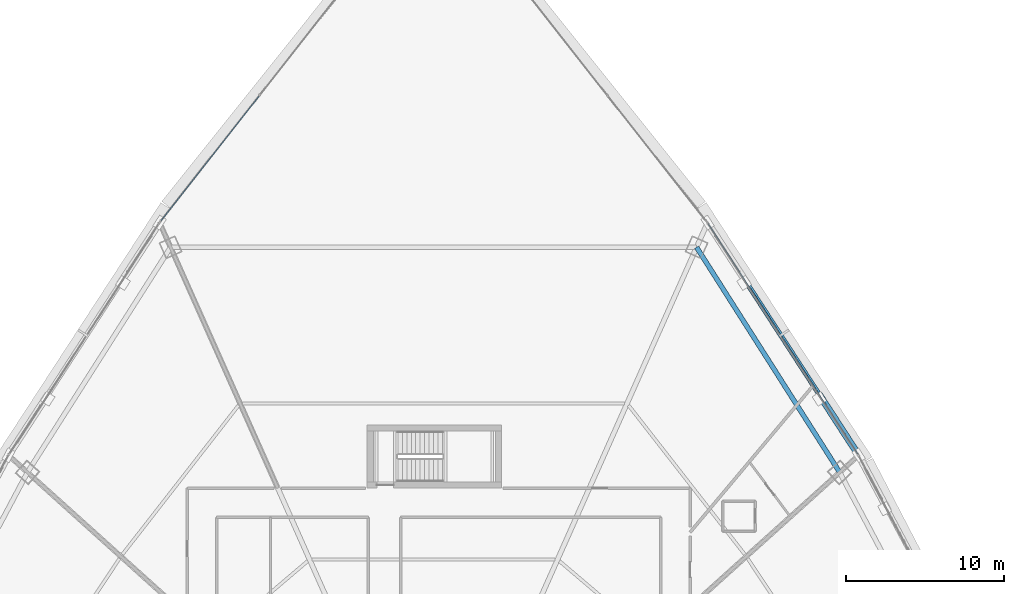
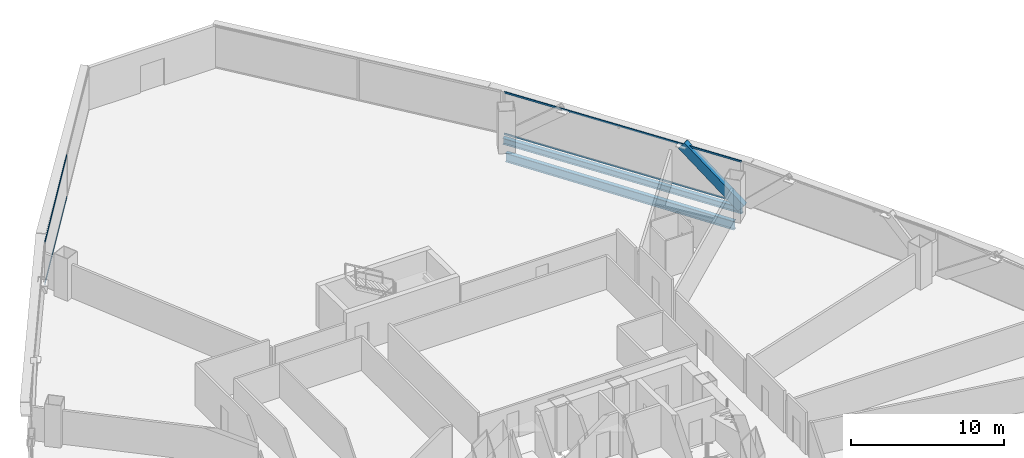
# One storey, part 26 of 42: 5 members, 2 beams, 2 elements without a shape of their own.
"""IFC4 building model written with IfcOpenShell, lengths in metres."""

import ifcopenshell
import ifcopenshell.guid

model = None  # the IFC model being written
_history = None  # IfcOwnerHistory: only IFC2X3 demands one
_inside = {}  # id of a spatial element -> (the spatial element, [elements in it])
_under = {}  # id of a project, library or spatial element -> (it, [spatial elements below it])
_declared = {}  # id of a project -> (the project, [libraries it declares])
_typed = {}  # id of a type object -> (the type object, [elements of that type])
_made_of = {}  # id of a material, layer set ... -> (it, [elements and type objects made of it])


def new_model(schema):
    """Start an empty IFC model of exactly this schema.

    Asked for "IFC4X3", IfcOpenShell would pick the latest addendum, in which some entities
    have other attributes; the version numbers below select the first issue.
    IFC2X3 requires an IfcOwnerHistory on every rooted entity: one is made here for all.
    """
    global model, _history
    if schema == "IFC4X3":
        model = ifcopenshell.file(schema_version=(4, 3, 0, 0))
    else:
        model = ifcopenshell.file(schema=schema)
    _inside.clear()
    _under.clear()
    _declared.clear()
    _typed.clear()
    _made_of.clear()
    _history = None
    if model.schema == "IFC2X3":
        org = make("IfcOrganization", Name="unknown")
        user = make(
            "IfcPersonAndOrganization",
            ThePerson=make("IfcPerson", FamilyName="unknown"),
            TheOrganization=org,
        )
        app = make(
            "IfcApplication",
            ApplicationDeveloper=org,
            Version="unknown",
            ApplicationFullName="unknown",
            ApplicationIdentifier="unknown",
        )
        _history = make(
            "IfcOwnerHistory",
            OwningUser=user,
            OwningApplication=app,
            ChangeAction="ADDED",
            CreationDate=0,
        )
    return model


def make(cls, **values):
    """One entity of the class cls with the attributes given. An attribute that is None is left unset."""
    return model.create_entity(
        cls, **{name: value for name, value in values.items() if value is not None}
    )


def rooted(cls, **values):
    """An entity with a GlobalId (a new one), such as an element, a storey or a relation."""
    return make(cls, GlobalId=ifcopenshell.guid.new(), OwnerHistory=_history, **values)


def si_unit(unit_type, name, prefix=None):
    """IfcSIUnit, for example si_unit("LENGTHUNIT", "METRE", prefix="MILLI")."""
    return make("IfcSIUnit", UnitType=unit_type, Prefix=prefix, Name=name)


def assignment(units):
    """IfcUnitAssignment: the units of a project."""
    return None if units is None else make("IfcUnitAssignment", Units=units)


def point(xyz):
    """IfcCartesianPoint."""
    return None if xyz is None else make("IfcCartesianPoint", Coordinates=xyz)


def direction(xyz):
    """IfcDirection."""
    return None if xyz is None else make("IfcDirection", DirectionRatios=xyz)


def frame(location, z_axis=None, x_axis=None):
    """IfcAxis2Placement3D, a coordinate frame: its origin and axes. An axis left out is left unset."""
    return make(
        "IfcAxis2Placement3D",
        Location=point(location),
        Axis=direction(z_axis),
        RefDirection=direction(x_axis),
    )


def frame_2d(location, x_axis=None):
    """IfcAxis2Placement2D, a coordinate frame in the plane: its origin and x axis."""
    return make(
        "IfcAxis2Placement2D", Location=point(location), RefDirection=direction(x_axis)
    )


def origin():
    """The frame at (0, 0, 0) with its axes left unset."""
    return frame((0.0, 0.0, 0.0))


def origin_2d():
    """The frame at (0, 0) in the plane with its x axis left unset."""
    return frame_2d((0.0, 0.0))


def place(relative_to, where):
    """IfcLocalPlacement: puts the frame where relative to a parent placement (None: the world)."""
    return make(
        "IfcLocalPlacement", PlacementRelTo=relative_to, RelativePlacement=where
    )


def context(
    kind, dimensions, precision=None, world=None, true_north=None, identifier=None
):
    """IfcGeometricRepresentationContext, for example the 3D "Model" context."""
    return make(
        "IfcGeometricRepresentationContext",
        ContextIdentifier=identifier,
        ContextType=kind,
        CoordinateSpaceDimension=dimensions,
        Precision=precision,
        WorldCoordinateSystem=world,
        TrueNorth=true_north,
    )


def subcontext(parent, identifier, kind, view, scale=None):
    """IfcGeometricRepresentationSubContext, for example "Body" below "Model"."""
    return make(
        "IfcGeometricRepresentationSubContext",
        ContextIdentifier=identifier,
        ContextType=kind,
        ParentContext=parent,
        TargetScale=scale,
        TargetView=view,
    )


def project(units=None, contexts=None):
    """IfcProject with its units and contexts."""
    return rooted(
        "IfcProject",
        Name="project",
        RepresentationContexts=contexts,
        UnitsInContext=assignment(units),
    )


def spatial(cls, under=None, at=None, **own):
    """A site, building, storey or space (cls), placed at a placement, below another one or the project."""
    s = rooted(cls, ObjectPlacement=at, **own)
    if under is not None:
        _under.setdefault(under.id(), (under, []))[1].append(s)
    return s


def profile(cls, at=None, kind="AREA", **sizes):
    """A parametric profile (cls). Its sizes go by their IFC names, for example OverallWidth=200.0."""
    return make(cls, ProfileType=kind, Position=at, **sizes)


def hollow_rectangle(**sizes):
    """IfcRectangleHollowProfileDef."""
    return profile("IfcRectangleHollowProfileDef", **sizes)


def i_section(**sizes):
    """IfcIShapeProfileDef."""
    return profile("IfcIShapeProfileDef", **sizes)


def extrude(swept, where, along, depth):
    """IfcExtrudedAreaSolid: the profile swept, set in the frame where, extruded along a direction by depth."""
    return make(
        "IfcExtrudedAreaSolid",
        SweptArea=swept,
        Position=where,
        ExtrudedDirection=direction(along),
        Depth=depth,
    )


def shape(context_of_items, identifier, shape_type, items):
    """IfcShapeRepresentation: the items that make up one representation, for example the "Body"."""
    return make(
        "IfcShapeRepresentation",
        ContextOfItems=context_of_items,
        RepresentationIdentifier=identifier,
        RepresentationType=shape_type,
        Items=items,
    )


def source(mapping_origin, context_of_items, identifier, shape_type, items):
    """IfcRepresentationMap: a shape defined once, which mapped items show again and again."""
    return make(
        "IfcRepresentationMap",
        MappingOrigin=mapping_origin,
        MappedRepresentation=shape(context_of_items, identifier, shape_type, items),
    )


def transform(
    local_origin,
    x_axis=None,
    y_axis=None,
    z_axis=None,
    scale=None,
    scale2=None,
    scale3=None,
    uniform=True,
):
    """IfcCartesianTransformationOperator3D, or its non-uniform kind. x_axis, y_axis, z_axis: its Axis1, 2, 3."""
    if uniform:
        return make(
            "IfcCartesianTransformationOperator3D",
            Axis1=direction(x_axis),
            Axis2=direction(y_axis),
            LocalOrigin=point(local_origin),
            Scale=scale,
            Axis3=direction(z_axis),
        )
    return make(
        "IfcCartesianTransformationOperator3DnonUniform",
        Axis1=direction(x_axis),
        Axis2=direction(y_axis),
        LocalOrigin=point(local_origin),
        Scale=scale,
        Axis3=direction(z_axis),
        Scale2=scale2,
        Scale3=scale3,
    )


def mapped(mapping_source, mapping_target):
    """IfcMappedItem: shows the shape of a source again, moved by a transform."""
    return make(
        "IfcMappedItem", MappingSource=mapping_source, MappingTarget=mapping_target
    )


def material(Name=None, Category=None):
    """IfcMaterial."""
    return make("IfcMaterial", Name=Name, Category=Category)


def layer(
    of_material, thickness, ventilated=None, Name=None, Category=None, Priority=None
):
    """IfcMaterialLayer: one layer of a wall or slab, of a material (None: an air gap)."""
    return make(
        "IfcMaterialLayer",
        Material=of_material,
        LayerThickness=thickness,
        IsVentilated=ventilated,
        Name=Name,
        Category=Category,
        Priority=Priority,
    )


def layer_set(layers, Name=None):
    """IfcMaterialLayerSet."""
    return make("IfcMaterialLayerSet", MaterialLayers=layers, LayerSetName=Name)


def material_profile(
    of_material, cross_section, Name=None, Category=None, Priority=None
):
    """IfcMaterialProfile: a cross section and its material."""
    return make(
        "IfcMaterialProfile",
        Name=Name,
        Material=of_material,
        Profile=cross_section,
        Priority=Priority,
        Category=Category,
    )


def profile_set(profiles, Name=None, composite=None):
    """IfcMaterialProfileSet."""
    return make(
        "IfcMaterialProfileSet",
        Name=Name,
        MaterialProfiles=profiles,
        CompositeProfile=composite,
    )


def made_of(thing, what):
    """Note that an element or type object is made of a material, layer set ...; save() writes the relation."""
    if what is not None:
        _made_of.setdefault(what.id(), (what, []))[1].append(thing)
    return thing


def type_object(cls, material=None, **own):
    """A type object (cls), such as IfcWallType, which elements share."""
    return made_of(rooted(cls, **own), material)


def element(
    cls,
    number,
    at=None,
    inside=None,
    cuts=None,
    type_object=None,
    material=None,
    context=None,
    identifier="Body",
    shape_type=None,
    held_by="IfcProductDefinitionShape",
    body=None,
    shapes=None,
    **own,
):
    """One element of the class cls, such as IfcWall. Its Tag is "e" and its number.

    at: its placement. inside: the storey or other place that contains it. cuts: it is an
    opening in that element (IfcRelVoidsElement). A single representation is given by context,
    identifier, shape_type and body (its items); several are given by shapes. held_by: the class
    of the entity that holds the representations. save() writes the other relations.
    """
    e = rooted(cls, Tag="e%d" % number, ObjectPlacement=at, **own)
    if body is not None:
        shapes = [shape(context, identifier, shape_type, body)]
    if shapes is not None:
        e.Representation = make(held_by, Representations=shapes)
    if inside is not None:
        _inside.setdefault(inside.id(), (inside, []))[1].append(e)
    if cuts is not None:
        rooted(
            "IfcRelVoidsElement", RelatingBuildingElement=cuts, RelatedOpeningElement=e
        )
    if type_object is not None:
        _typed.setdefault(type_object.id(), (type_object, []))[1].append(e)
    return made_of(e, material)


def aggregate(whole, parts):
    """IfcRelAggregates: a whole, such as a stair, and the parts it consists of."""
    return rooted("IfcRelAggregates", RelatingObject=whole, RelatedObjects=parts)


def save(model, path):
    """Write the relations noted so far, then the file.

    IfcRelAggregates (storeys below a building ...), IfcRelContainedInSpatialStructure (elements
    in a storey), IfcRelDefinesByType, IfcRelAssociatesMaterial and IfcRelDeclares: one each for
    every whole, place, type object, material and project.
    """
    for whole, parts in _under.values():
        aggregate(whole, parts)
    for where, things in _inside.values():
        rooted(
            "IfcRelContainedInSpatialStructure",
            RelatedElements=things,
            RelatingStructure=where,
        )
    for kind, things in _typed.values():
        rooted("IfcRelDefinesByType", RelatedObjects=things, RelatingType=kind)
    for what, things in _made_of.values():
        rooted("IfcRelAssociatesMaterial", RelatedObjects=things, RelatingMaterial=what)
    for by, libraries in _declared.values():
        rooted("IfcRelDeclares", RelatingContext=by, RelatedDefinitions=libraries)
    model.write(path)


model = new_model("IFC4")

# Units and contexts
model_context = context("Model", 3, precision=1e-05, world=origin(), true_north=direction((0.0, 1.0)))
body_context = subcontext(model_context, "Body", "Model", "MODEL_VIEW")
ifc_project = project(units=[si_unit("LENGTHUNIT", "METRE"), si_unit("AREAUNIT", "SQUARE_METRE"), si_unit("VOLUMEUNIT", "CUBIC_METRE"), si_unit("PLANEANGLEUNIT", "RADIAN"), si_unit("MASSUNIT", "GRAM", prefix="KILO"), si_unit("THERMODYNAMICTEMPERATUREUNIT", "KELVIN"), si_unit("POWERUNIT", "WATT")], contexts=[model_context])

# Site, building, storey
site_placement = place(None, origin())
site = spatial("IfcSite", under=ifc_project, at=site_placement, CompositionType="ELEMENT")
building_placement = place(site_placement, origin())
building = spatial("IfcBuilding", under=site, at=building_placement, Name="Yunzhuo Pagoda Commons", CompositionType="ELEMENT")
storey_placement = place(building_placement, frame((0.0, 0.0, 48.550048828125)))
storey = spatial("IfcBuildingStorey", under=building, at=storey_placement, Name="L12", CompositionType="ELEMENT", Elevation=48.550048828125)

# Beams
ifc_material_1 = material(Name="Structural steel Q355B", Category="steel")
ifc_material_profile_1 = material_profile(ifc_material_1, i_section(OverallWidth=0.300048828125, OverallDepth=0.699951171875, WebThickness=0.012939453125, FlangeThickness=0.02392578125, at=origin_2d()), Name="Structural steel Q355B")
ifc_profile_set_1 = profile_set([ifc_material_profile_1], Name="Structural steel Q355B")
beam_type_1 = type_object("IfcBeamType", Name="B-RG1 Beam HN 700x300x13x24", PredefinedType="BEAM", material=ifc_profile_set_1)
shared_shape_1 = source(origin(), body_context, "Body", "SweptSolid", [
    extrude(i_section(OverallWidth=0.300048828125, OverallDepth=0.699951171875, WebThickness=0.012939453125, FlangeThickness=0.02392578125, at=origin_2d()), origin(), (0.0, 0.0, 1.0), 16.843994140625),
])
beam_1_placement = place(storey_placement, frame((73.648681640625, 56.79443359375, -0.610107421875), z_axis=(-0.536558458992, 0.843863152462, 0.0), x_axis=(-0.843863152462, -0.536558458992, 0.0)))
element("IfcBeam", 1, at=beam_1_placement, inside=storey, type_object=beam_type_1, Name="L12 column-ring beam 7", PredefinedType="BEAM", context=body_context, shape_type="MappedRepresentation", body=[
    mapped(shared_shape_1, transform((0.0, 0.0, 0.0), scale=1.0)),
])
ifc_material_profile_2 = material_profile(ifc_material_1, i_section(OverallWidth=0.300048828125, OverallDepth=0.488037109375, WebThickness=0.010986328125, FlangeThickness=0.01806640625, at=origin_2d()), Name="Structural steel Q355B")
ifc_profile_set_2 = profile_set([ifc_material_profile_2], Name="Structural steel Q355B")
beam_type_2 = type_object("IfcBeamType", Name="B-SP1 Beam HM 488x300x11x18", PredefinedType="BEAM", material=ifc_profile_set_2)
shared_shape_2 = source(origin(), body_context, "Body", "SweptSolid", [
    extrude(i_section(OverallWidth=0.300048828125, OverallDepth=0.488037109375, WebThickness=0.010986328125, FlangeThickness=0.01806640625, at=origin_2d()), origin(), (0.0, 0.0, 1.0), 17.521728515625),
])
beam_2_placement = place(storey_placement, frame((74.847412109375, 57.873291015625, -0.504150390625), z_axis=(-0.544582276672, 0.838707424514, 0.0), x_axis=(-0.838707424514, -0.544582276672, 0.0)))
element("IfcBeam", 2, at=beam_2_placement, inside=storey, type_object=beam_type_2, Name="L12 facade edge spandrel beam F2.3", PredefinedType="BEAM", context=body_context, shape_type="MappedRepresentation", body=[
    mapped(shared_shape_2, transform((0.0, 0.0, 0.0), scale=1.0)),
])

# Member
ifc_material_2 = material(Name="Structural steel Q420B", Category="steel")
ifc_material_profile_3 = material_profile(ifc_material_2, hollow_rectangle(XDim=0.419921875, YDim=0.719970703125, WallThickness=0.028076171875, at=origin_2d()), Name="Structural steel Q420B")
ifc_profile_set_3 = profile_set([ifc_material_profile_3], Name="Structural steel Q420B")
member_type_1 = type_object("IfcMemberType", Name="M-DL1 Brace BOX 720x420x28", PredefinedType="BRACE", material=ifc_profile_set_3)
shared_shape_3 = source(origin(), body_context, "Body", "SweptSolid", [
    extrude(hollow_rectangle(XDim=0.419921875, YDim=0.719970703125, WallThickness=0.028076171875, at=origin_2d()), origin(), (0.0, 0.0, 1.0), 5.68896484375),
])
member_1_placement = place(storey_placement, frame((74.847412109375, 57.873291015625, -0.260009765625), z_axis=(-0.419324490992, 0.645788040165, 0.638063302842), x_axis=(-0.838703292145, -0.544588640852, 0.0)))
element("IfcMember", 3, at=member_1_placement, inside=storey, type_object=member_type_1, Name="L12 facade diamond brace F2.3L", PredefinedType="BRACE", context=body_context, shape_type="MappedRepresentation", body=[
    mapped(shared_shape_3, transform((0.0, 0.0, 0.0), scale=1.0)),
])

# Curtain wall, members
ifc_material_3 = material(Name="Anodized aluminium 6063-T6", Category="aluminium")
ifc_layer = layer(ifc_material_3, 0.1650390625)
ifc_layer_set = layer_set([ifc_layer], Name="Anodized aluminium 6063-T6")
curtain_wall_type = type_object("IfcCurtainWallType", Name="CW-LOW Low-Zone Ribbon Curtain Wall", PredefinedType="NOTDEFINED", material=ifc_layer_set)
curtain_wall_1_placement = place(storey_placement, origin())
curtain_wall_1 = element("IfcCurtainWall", 4, at=curtain_wall_1_placement, inside=storey, type_object=curtain_wall_type, Name="L12 curtain wall CW-L12-F2B4", PredefinedType="NOTDEFINED")
ifc_material_profile_4 = material_profile(ifc_material_3, hollow_rectangle(XDim=0.06005859375, YDim=0.139892578125, WallThickness=0.00341796875, at=origin_2d()), Name="Anodized aluminium 6063-T6")
ifc_profile_set_4 = profile_set([ifc_material_profile_4], Name="Anodized aluminium 6063-T6")
member_type_2 = type_object("IfcMemberType", Name="CW-LOW-T Transom RHS 140x60x3.5", PredefinedType="USERDEFINED", material=ifc_profile_set_4)
shared_shape_4 = source(origin(), body_context, "Body", "SweptSolid", [
    extrude(hollow_rectangle(XDim=0.06005859375, YDim=0.139892578125, WallThickness=0.00341796875, at=origin_2d()), origin(), (0.0, 0.0, 1.0), 17.391357421875),
])
member_2_placement = place(storey_placement, frame((74.81201171875, 57.92822265625, 0.030029296875), z_axis=(-0.544591079988, 0.838701708355, 0.0), x_axis=(-0.838701708355, -0.544591079988, 0.0)))
member_2 = element("IfcMember", 5, at=member_2_placement, type_object=member_type_2, Name="CW transom 1.1", ObjectType="TRANSOM", PredefinedType="USERDEFINED", context=body_context, shape_type="MappedRepresentation", body=[
    mapped(shared_shape_4, transform((0.0, 0.0, 0.0), scale=1.0)),
])
member_3_placement = place(storey_placement, frame((74.81201171875, 57.92822265625, 3.33984375), z_axis=(-0.544591079988, 0.838701708355, 0.0), x_axis=(-0.838701708355, -0.544591079988, 0.0)))
member_3 = element("IfcMember", 6, at=member_3_placement, type_object=member_type_2, Name="CW transom 1.2", ObjectType="TRANSOM", PredefinedType="USERDEFINED", context=body_context, shape_type="MappedRepresentation", body=[
    mapped(shared_shape_4, transform((0.0, 0.0, 0.0), scale=1.0)),
])
aggregate(curtain_wall_1, [member_2, member_3])

curtain_wall_2_placement = place(storey_placement, origin())
curtain_wall_2 = element("IfcCurtainWall", 7, at=curtain_wall_2_placement, inside=storey, type_object=curtain_wall_type, Name="L12 curtain wall CW-L12-F3B1", PredefinedType="NOTDEFINED")
shared_shape_5 = source(origin(), body_context, "Body", "SweptSolid", [
    extrude(hollow_rectangle(XDim=0.06005859375, YDim=0.139892578125, WallThickness=0.00341796875, at=origin_2d()), origin(), (0.0, 0.0, 1.0), 10.042724609375),
])
member_4_placement = place(storey_placement, frame((36.9912109375, 80.571044921875, 0.030029296875), z_axis=(-0.618380762266, -0.785878637488, 0.0), x_axis=(0.785878637488, -0.618380762266, 0.0)))
member_4 = element("IfcMember", 8, at=member_4_placement, type_object=member_type_2, Name="CW transom 2.1", ObjectType="TRANSOM", PredefinedType="USERDEFINED", context=body_context, shape_type="MappedRepresentation", body=[
    mapped(shared_shape_5, transform((0.0, 0.0, 0.0), scale=1.0)),
])
member_5_placement = place(storey_placement, frame((36.9912109375, 80.571044921875, 3.33984375), z_axis=(-0.618380762266, -0.785878637488, 0.0), x_axis=(0.785878637488, -0.618380762266, 0.0)))
member_5 = element("IfcMember", 9, at=member_5_placement, type_object=member_type_2, Name="CW transom 2.2", ObjectType="TRANSOM", PredefinedType="USERDEFINED", context=body_context, shape_type="MappedRepresentation", body=[
    mapped(shared_shape_5, transform((0.0, 0.0, 0.0), scale=1.0)),
])
aggregate(curtain_wall_2, [member_4, member_5])

save(model, "model.ifc")
